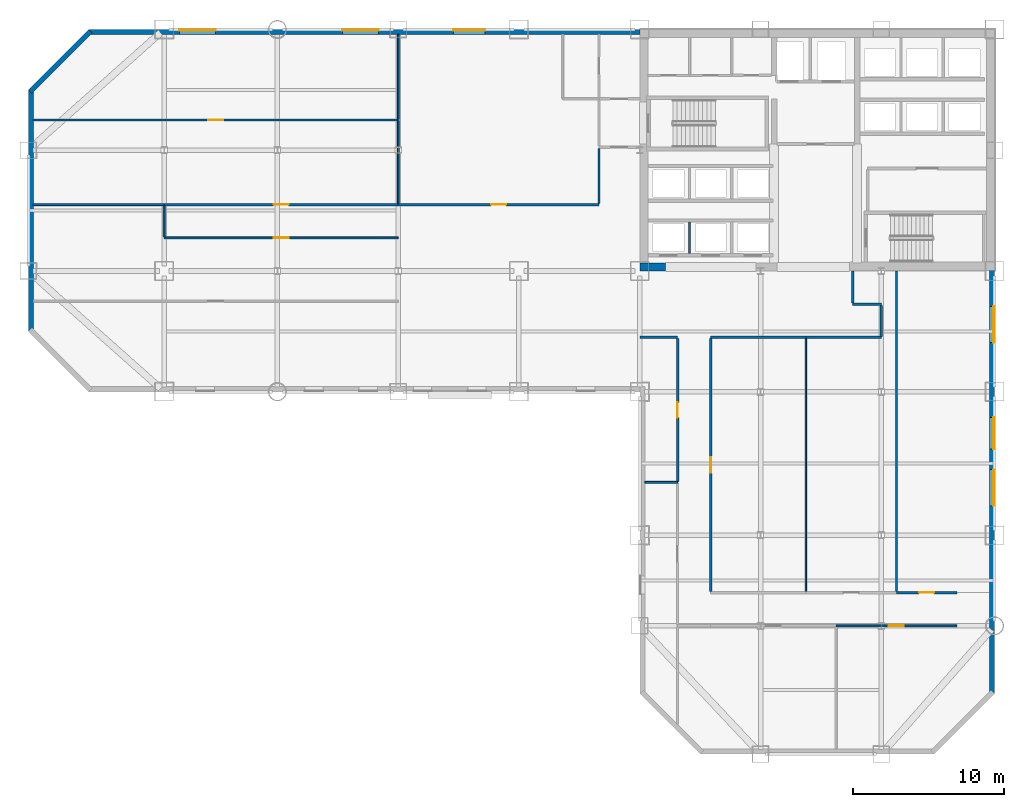
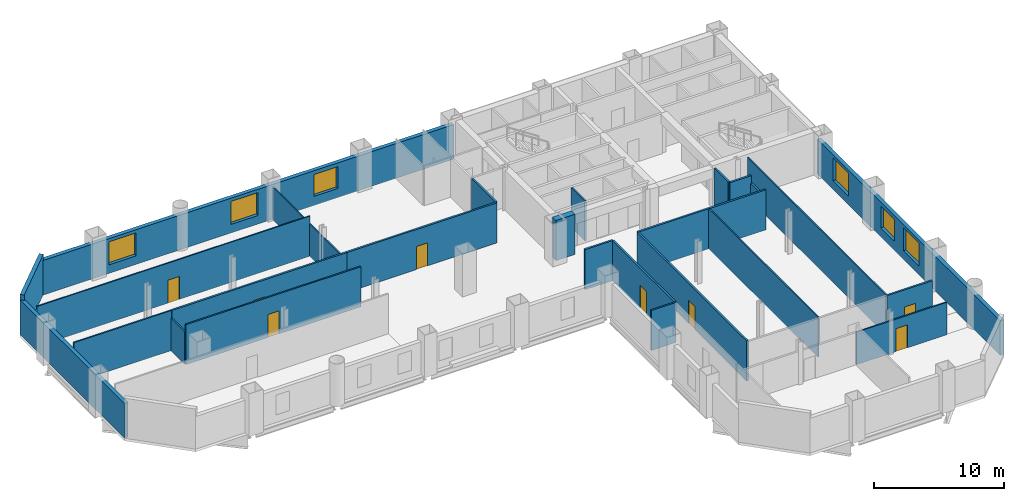
# One storey, part 5 of 9: 28 walls, 8 doors, 6 windows, 14 openings.
"""IFC4 building model written with IfcOpenShell, lengths in metres."""

from ifc_helpers import new_model, si_unit, direction, frame, frame_2d, origin, place, context, subcontext, project, spatial, rectangle, extrude, material, layer, layer_set, type_object, element, fill, save


model = new_model("IFC4")

# Units and contexts
model_context = context("Model", 3, precision=1e-05, world=origin(), true_north=direction((0.0, 1.0)))
body_context = subcontext(model_context, "Body", "Model", "MODEL_VIEW")
ifc_project = project(units=[si_unit("LENGTHUNIT", "METRE"), si_unit("AREAUNIT", "SQUARE_METRE"), si_unit("VOLUMEUNIT", "CUBIC_METRE"), si_unit("PLANEANGLEUNIT", "RADIAN"), si_unit("MASSUNIT", "GRAM", prefix="KILO")], contexts=[model_context])

# Site, building, storey
site_placement = place(None, origin())
site = spatial("IfcSite", under=ifc_project, at=site_placement, CompositionType="ELEMENT")
building_placement = place(site_placement, origin())
building = spatial("IfcBuilding", under=site, at=building_placement, Name="Qianrong Seaharbour Tower", CompositionType="ELEMENT")
storey_placement = place(building_placement, frame((0.0, 0.0, 72.199951171875)))
storey = spatial("IfcBuildingStorey", under=building, at=storey_placement, Name="L17", CompositionType="ELEMENT", Elevation=72.199951171875)

# Wall
ifc_material_1 = material(Name="Concrete C70/85", Category="concrete")
ifc_layer_1 = layer(ifc_material_1, 0.5400390625)
ifc_layer_set_1 = layer_set([ifc_layer_1], Name="Concrete C70/85")
wall_type_1 = type_object("IfcWallType", Name="WALL-CORE-540", PredefinedType="SHEAR", material=ifc_layer_set_1)
wall_1_placement = place(storey_placement, frame((40.5, 36.27001953125, 0.0), z_axis=(0.0, 0.0, 1.0), x_axis=(1.0, 0.0, 0.0)))
element("IfcWall", 1, at=wall_1_placement, inside=storey, type_object=wall_type_1, Name="L17 South Core Shear Wall S1", PredefinedType="SHEAR", context=body_context, shape_type="SweptSolid", body=[
    extrude(rectangle(XDim=1.699951171875, YDim=0.5400390625, at=frame_2d((0.85009765625, 0.0))), origin(), (0.0, 0.0, 1.0), 3.75),
])

# Wall, opening, door
ifc_material_2 = material(Name="Fire-rated acoustic gypsum board partition")
ifc_layer_2 = layer(ifc_material_2, 0.1650390625)
ifc_layer_set_2 = layer_set([ifc_layer_2], Name="Fire-rated acoustic gypsum board partition")
wall_type_2 = type_object("IfcWallType", Name="WALL-CORR-PART-165", PredefinedType="PARTITIONING", material=ifc_layer_set_2)
wall_2_placement = place(storey_placement, frame((24.5, 40.39990234375, 0.0), z_axis=(0.0, 0.0, 1.0), x_axis=(1.0, 0.0, 0.0)))
wall_2 = element("IfcWall", 2, at=wall_2_placement, inside=storey, type_object=wall_type_2, Name="L17 Interior Partition Wall 015", PredefinedType="PARTITIONING", context=body_context, shape_type="SweptSolid", body=[
    extrude(rectangle(XDim=13.300048828125, YDim=0.1650390625, at=frame_2d((6.64990234375, 0.0))), origin(), (0.0, 0.0, 1.0), 3.75),
])
opening_1_placement = place(wall_2_placement, frame((6.14990234375, 0.0, 0.0)))
opening_1 = element("IfcOpeningElement", 3, at=opening_1_placement, cuts=wall_2, Name="Opening DO-01", PredefinedType="OPENING", context=body_context, shape_type="SweptSolid", body=[
    extrude(rectangle(XDim=1.0, YDim=2.14990234375, at=frame_2d((0.5, 1.074951171875))), frame((0.0, 0.092529296875, 0.0), z_axis=(0.0, -1.0, 0.0), x_axis=(1.0, 0.0, 0.0)), (0.0, 0.0, 1.0), 0.18505859375),
])
ifc_material_3 = material(Name="Acoustic timber and galvanized steel fire door assembly", Category="steel")
door_type = type_object("IfcDoorType", Name="DOOR-OFFICE-1000x2150", OperationType="NOTDEFINED", PredefinedType="DOOR", material=ifc_material_3)
door_1_placement = place(opening_1_placement, origin())
door_1 = element("IfcDoor", 4, at=door_1_placement, inside=storey, type_object=door_type, Name="L17 Central Spine Open-Plan Office Door", OperationType="SINGLE_SWING_RIGHT", OverallHeight=2.14990234375, OverallWidth=1.0, PredefinedType="DOOR", context=body_context, shape_type="SweptSolid", body=[
    extrude(rectangle(XDim=1.0, YDim=2.14990234375, at=frame_2d((0.5, 1.074951171875))), frame((0.0, 0.02490234375, 0.0), z_axis=(0.0, -1.0, 0.0), x_axis=(1.0, 0.0, 0.0)), (0.0, 0.0, 1.0), 0.050048828125),
])
fill(opening_1, door_1)

wall_3_placement = place(storey_placement, frame((9.0, 40.39990234375, 0.0), z_axis=(0.0, 0.0, 1.0), x_axis=(1.0, 0.0, 0.0)))
wall_3 = element("IfcWall", 5, at=wall_3_placement, inside=storey, type_object=wall_type_2, Name="L17 Interior Partition Wall 018", PredefinedType="PARTITIONING", context=body_context, shape_type="SweptSolid", body=[
    extrude(rectangle(XDim=15.5, YDim=0.1650390625, at=frame_2d((7.75, 0.0))), origin(), (0.0, 0.0, 1.0), 3.75),
])
opening_2_placement = place(wall_3_placement, frame((7.25, 0.0, 0.0)))
opening_2 = element("IfcOpeningElement", 6, at=opening_2_placement, cuts=wall_3, Name="Opening DO-01", PredefinedType="OPENING", context=body_context, shape_type="SweptSolid", body=[
    extrude(rectangle(XDim=1.0, YDim=2.14990234375, at=frame_2d((0.5, 1.074951171875))), frame((0.0, 0.092529296875, 0.0), z_axis=(0.0, -1.0, 0.0), x_axis=(1.0, 0.0, 0.0)), (0.0, 0.0, 1.0), 0.18505859375),
])
door_2_placement = place(opening_2_placement, origin())
door_2 = element("IfcDoor", 7, at=door_2_placement, inside=storey, type_object=door_type, Name="L17 Hospitality Dining Room 3 Door", OperationType="SINGLE_SWING_LEFT", OverallHeight=2.14990234375, OverallWidth=1.0, PredefinedType="DOOR", context=body_context, shape_type="SweptSolid", body=[
    extrude(rectangle(XDim=1.0, YDim=2.14990234375, at=frame_2d((0.5, 1.074951171875))), frame((0.0, 0.02490234375, 0.0), z_axis=(0.0, -1.0, 0.0), x_axis=(1.0, 0.0, 0.0)), (0.0, 0.0, 1.0), 0.050048828125),
])
fill(opening_2, door_2)

# Walls
wall_4_placement = place(storey_placement, frame((37.800048828125, 40.474609375, 0.0), z_axis=(0.0, 0.0, 1.0), x_axis=(0.0, 1.0, 0.0)))
element("IfcWall", 8, at=wall_4_placement, inside=storey, type_object=wall_type_2, Name="L17 Interior Partition Wall 019", PredefinedType="PARTITIONING", context=body_context, shape_type="SweptSolid", body=[
    extrude(rectangle(XDim=3.65087890625, YDim=0.1650390625, at=frame_2d((1.825439453125, 0.0))), origin(), (0.0, 0.0, 1.0), 3.75),
])
wall_5_placement = place(storey_placement, frame((51.5, 31.60009765625, 0.0), z_axis=(0.0, 0.0, 1.0), x_axis=(-1.0, 0.0, 0.0)))
element("IfcWall", 9, at=wall_5_placement, inside=storey, type_object=wall_type_2, Name="L17 Interior Partition Wall 020", PredefinedType="PARTITIONING", context=body_context, shape_type="SweptSolid", body=[
    extrude(rectangle(XDim=6.300048828125, YDim=0.1650390625, at=frame_2d((3.14990234375, 0.0))), origin(), (0.0, 0.0, 1.0), 3.75),
])
wall_6_placement = place(storey_placement, frame((54.60009765625, 36.0, 0.0), z_axis=(0.0, 0.0, 1.0), x_axis=(0.0, -1.0, 0.0)))
element("IfcWall", 10, at=wall_6_placement, inside=storey, type_object=wall_type_2, Name="L17 Interior Partition Wall 021", PredefinedType="PARTITIONING", context=body_context, shape_type="SweptSolid", body=[
    extrude(rectangle(XDim=2.12548828125, YDim=0.1650390625, at=frame_2d((1.062744140625, 0.0))), origin(), (0.0, 0.0, 1.0), 3.75),
])
wall_7_placement = place(storey_placement, frame((54.60009765625, 33.800048828125, 0.0), z_axis=(0.0, 0.0, 1.0), x_axis=(1.0, 0.0, 0.0)))
element("IfcWall", 11, at=wall_7_placement, inside=storey, type_object=wall_type_2, Name="L17 Interior Partition Wall 022", PredefinedType="PARTITIONING", context=body_context, shape_type="SweptSolid", body=[
    extrude(rectangle(XDim=1.89990234375, YDim=0.1650390625, at=frame_2d((0.949951171875, 0.0))), origin(), (0.0, 0.0, 1.0), 3.75),
])
wall_8_placement = place(storey_placement, frame((56.5, 33.7255859375, 0.0), z_axis=(0.0, 0.0, 1.0), x_axis=(0.0, -1.0, 0.0)))
element("IfcWall", 12, at=wall_8_placement, inside=storey, type_object=wall_type_2, Name="L17 Interior Partition Wall 023", PredefinedType="PARTITIONING", context=body_context, shape_type="SweptSolid", body=[
    extrude(rectangle(XDim=2.051025390625, YDim=0.1650390625, at=frame_2d((1.025390625, 0.0))), origin(), (0.0, 0.0, 1.0), 3.0419921875),
])
wall_9_placement = place(storey_placement, frame((56.5, 31.60009765625, 0.0), z_axis=(0.0, 0.0, 1.0), x_axis=(-1.0, 0.0, 0.0)))
element("IfcWall", 13, at=wall_9_placement, inside=storey, type_object=wall_type_2, Name="L17 Interior Partition Wall 024", PredefinedType="PARTITIONING", context=body_context, shape_type="SweptSolid", body=[
    extrude(rectangle(XDim=5.0, YDim=0.1650390625, at=frame_2d((2.5, 0.0))), origin(), (0.0, 0.0, 1.0), 3.75),
])
wall_10_placement = place(storey_placement, frame((43.0, 31.60009765625, 0.0), z_axis=(0.0, 0.0, 1.0), x_axis=(-1.0, 0.0, 0.0)))
element("IfcWall", 14, at=wall_10_placement, inside=storey, type_object=wall_type_2, Name="L17 Interior Partition Wall 025", PredefinedType="PARTITIONING", context=body_context, shape_type="SweptSolid", body=[
    extrude(rectangle(XDim=2.5, YDim=0.1650390625, at=frame_2d((1.25, 0.0))), origin(), (0.0, 0.0, 1.0), 3.75),
])

# Wall, opening, door
wall_11_placement = place(storey_placement, frame((45.199951171875, 31.525390625, 0.0), z_axis=(0.0, 0.0, 1.0), x_axis=(0.0, -1.0, 0.0)))
wall_11 = element("IfcWall", 15, at=wall_11_placement, inside=storey, type_object=wall_type_2, Name="L17 Interior Partition Wall 026", PredefinedType="PARTITIONING", context=body_context, shape_type="SweptSolid", body=[
    extrude(rectangle(XDim=16.7509765625, YDim=0.1650390625, at=frame_2d((8.37548828125, 0.0))), origin(), (0.0, 0.0, 1.0), 3.75),
])
opening_3_placement = place(wall_11_placement, frame((7.87548828125, 0.0, 0.0)))
opening_3 = element("IfcOpeningElement", 16, at=opening_3_placement, cuts=wall_11, Name="Opening DO-01", PredefinedType="OPENING", context=body_context, shape_type="SweptSolid", body=[
    extrude(rectangle(XDim=1.0, YDim=2.14990234375, at=frame_2d((0.5, 1.074951171875))), frame((0.0, 0.092529296875, 0.0), z_axis=(0.0, -1.0, 0.0), x_axis=(1.0, 0.0, 0.0)), (0.0, 0.0, 1.0), 0.18505859375),
])
door_3_placement = place(opening_3_placement, origin())
door_3 = element("IfcDoor", 17, at=door_3_placement, inside=storey, type_object=door_type, Name="L17 East Harbour Dining Salon 1 Door", OperationType="SINGLE_SWING_LEFT", OverallHeight=2.14990234375, OverallWidth=1.0, PredefinedType="DOOR", context=body_context, shape_type="SweptSolid", body=[
    extrude(rectangle(XDim=1.0, YDim=2.14990234375, at=frame_2d((0.5, 1.074951171875))), frame((0.0, 0.02490234375, 0.0), z_axis=(0.0, -1.0, 0.0), x_axis=(1.0, 0.0, 0.0)), (0.0, 0.0, 1.0), 0.050048828125),
])
fill(opening_3, door_3)

wall_12_placement = place(storey_placement, frame((43.0, 22.056884765625, 0.0), z_axis=(0.0, 0.0, 1.0), x_axis=(0.0, 1.0, 0.0)))
wall_12 = element("IfcWall", 18, at=wall_12_placement, inside=storey, type_object=wall_type_2, Name="L17 Interior Partition Wall 028", PredefinedType="PARTITIONING", context=body_context, shape_type="SweptSolid", body=[
    extrude(rectangle(XDim=9.468505859375, YDim=0.1650390625, at=frame_2d((4.734375, 0.0))), origin(), (0.0, 0.0, 1.0), 3.75),
])
opening_4_placement = place(wall_12_placement, frame((4.234375, 0.0, 0.0)))
opening_4 = element("IfcOpeningElement", 19, at=opening_4_placement, cuts=wall_12, Name="Opening DO-01", PredefinedType="OPENING", context=body_context, shape_type="SweptSolid", body=[
    extrude(rectangle(XDim=1.0, YDim=2.14990234375, at=frame_2d((0.5, 1.074951171875))), frame((0.0, 0.092529296875, 0.0), z_axis=(0.0, -1.0, 0.0), x_axis=(1.0, 0.0, 0.0)), (0.0, 0.0, 1.0), 0.18505859375),
])
door_4_placement = place(opening_4_placement, origin())
door_4 = element("IfcDoor", 20, at=door_4_placement, inside=storey, type_object=door_type, Name="L17 Concierge Office 2 Door", OperationType="SINGLE_SWING_LEFT", OverallHeight=2.14990234375, OverallWidth=1.0, PredefinedType="DOOR", context=body_context, shape_type="SweptSolid", body=[
    extrude(rectangle(XDim=1.0, YDim=2.14990234375, at=frame_2d((0.5, 1.074951171875))), frame((0.0, 0.02490234375, 0.0), z_axis=(0.0, -1.0, 0.0), x_axis=(1.0, 0.0, 0.0)), (0.0, 0.0, 1.0), 0.050048828125),
])
fill(opening_4, door_4)

wall_13_placement = place(storey_placement, frame((57.5, 14.699951171875, 0.0), z_axis=(0.0, 0.0, 1.0), x_axis=(1.0, 0.0, 0.0)))
wall_13 = element("IfcWall", 21, at=wall_13_placement, inside=storey, type_object=wall_type_2, Name="L17 Interior Partition Wall 032", PredefinedType="PARTITIONING", context=body_context, shape_type="SweptSolid", body=[
    extrude(rectangle(XDim=4.0, YDim=0.1650390625, at=frame_2d((2.0, 0.0))), origin(), (0.0, 0.0, 1.0), 3.75),
])
opening_5_placement = place(wall_13_placement, frame((1.5, 0.0, 0.0)))
opening_5 = element("IfcOpeningElement", 22, at=opening_5_placement, cuts=wall_13, Name="Opening DO-01", PredefinedType="OPENING", context=body_context, shape_type="SweptSolid", body=[
    extrude(rectangle(XDim=1.0, YDim=2.14990234375, at=frame_2d((0.5, 1.074951171875))), frame((0.0, 0.092529296875, 0.0), z_axis=(0.0, -1.0, 0.0), x_axis=(1.0, 0.0, 0.0)), (0.0, 0.0, 1.0), 0.18505859375),
])
door_5_placement = place(opening_5_placement, origin())
door_5 = element("IfcDoor", 23, at=door_5_placement, inside=storey, type_object=door_type, Name="L17 Staff Lounge 3 Door", OperationType="SINGLE_SWING_LEFT", OverallHeight=2.14990234375, OverallWidth=1.0, PredefinedType="DOOR", context=body_context, shape_type="SweptSolid", body=[
    extrude(rectangle(XDim=1.0, YDim=2.14990234375, at=frame_2d((0.5, 1.074951171875))), frame((0.0, 0.02490234375, 0.0), z_axis=(0.0, -1.0, 0.0), x_axis=(1.0, 0.0, 0.0)), (0.0, 0.0, 1.0), 0.050048828125),
])
fill(opening_5, door_5)

# Walls
ifc_material_4 = material(Name="Demountable aluminium-framed acoustic office partition", Category="aluminium")
ifc_layer_3 = layer(ifc_material_4, 0.110107421875)
ifc_layer_set_3 = layer_set([ifc_layer_3], Name="Demountable aluminium-framed acoustic office partition")
wall_type_3 = type_object("IfcWallType", Name="WALL-DEMOUNT-110", PredefinedType="MOVABLE", material=ifc_layer_set_3)
wall_14_placement = place(storey_placement, frame((24.5, 40.474609375, 0.0), z_axis=(0.0, 0.0, 1.0), x_axis=(0.0, 1.0, 0.0)))
element("IfcWall", 24, at=wall_14_placement, inside=storey, type_object=wall_type_3, Name="L17 Interior Partition Wall 035", PredefinedType="MOVABLE", context=body_context, shape_type="SweptSolid", body=[
    extrude(rectangle(XDim=5.478271484375, YDim=0.110107421875, at=frame_2d((2.7392578125, 0.0))), origin(), (0.0, 0.0, 1.0), 3.0419921875),
])
wall_15_placement = place(storey_placement, frame((24.5, 46.047119140625, 0.0), z_axis=(0.0, 0.0, 1.0), x_axis=(0.0, 1.0, 0.0)))
element("IfcWall", 25, at=wall_15_placement, inside=storey, type_object=wall_type_3, Name="L17 Interior Partition Wall 036", PredefinedType="MOVABLE", context=body_context, shape_type="SweptSolid", body=[
    extrude(rectangle(XDim=5.620849609375, YDim=0.110107421875, at=frame_2d((2.810546875, 0.0))), origin(), (0.0, 0.0, 1.0), 3.0419921875),
])

# Wall, opening, door
wall_16_placement = place(storey_placement, frame((0.33203125, 46.0, 0.0), z_axis=(0.0, 0.0, 1.0), x_axis=(1.0, 0.0, 0.0)))
wall_16 = element("IfcWall", 26, at=wall_16_placement, inside=storey, type_object=wall_type_3, Name="L17 Interior Partition Wall 039", PredefinedType="MOVABLE", context=body_context, shape_type="SweptSolid", body=[
    extrude(rectangle(XDim=24.16796875, YDim=0.110107421875, at=frame_2d((12.083984375, 0.0))), origin(), (0.0, 0.0, 1.0), 3.75),
])
opening_6_placement = place(wall_16_placement, frame((11.583984375, 0.0, 0.0)))
opening_6 = element("IfcOpeningElement", 27, at=opening_6_placement, cuts=wall_16, Name="Opening DO-01", PredefinedType="OPENING", context=body_context, shape_type="SweptSolid", body=[
    extrude(rectangle(XDim=1.0, YDim=2.14990234375, at=frame_2d((0.5, 1.074951171875))), frame((0.0, 0.06494140625, 0.0), z_axis=(0.0, -1.0, 0.0), x_axis=(1.0, 0.0, 0.0)), (0.0, 0.0, 1.0), 0.130126953125),
])
door_6_placement = place(opening_6_placement, origin())
door_6 = element("IfcDoor", 28, at=door_6_placement, inside=storey, type_object=door_type, Name="L17 Quiet Sitting Lounge 4 Door", OperationType="SINGLE_SWING_RIGHT", OverallHeight=2.14990234375, OverallWidth=1.0, PredefinedType="DOOR", context=body_context, shape_type="SweptSolid", body=[
    extrude(rectangle(XDim=1.0, YDim=2.14990234375, at=frame_2d((0.5, 1.074951171875))), frame((0.0, 0.02490234375, 0.0), z_axis=(0.0, -1.0, 0.0), x_axis=(1.0, 0.0, 0.0)), (0.0, 0.0, 1.0), 0.050048828125),
])
fill(opening_6, door_6)

# Walls
wall_17_placement = place(storey_placement, frame((51.5, 31.525390625, 0.0), z_axis=(0.0, 0.0, 1.0), x_axis=(0.0, -1.0, 0.0)))
element("IfcWall", 29, at=wall_17_placement, inside=storey, type_object=wall_type_3, Name="L17 Interior Partition Wall 040", PredefinedType="MOVABLE", context=body_context, shape_type="SweptSolid", body=[
    extrude(rectangle(XDim=16.7509765625, YDim=0.110107421875, at=frame_2d((8.37548828125, 0.0))), origin(), (0.0, 0.0, 1.0), 3.75),
])
wall_18_placement = place(storey_placement, frame((57.5, 36.0, 0.0), z_axis=(0.0, 0.0, 1.0), x_axis=(0.0, -1.0, 0.0)))
element("IfcWall", 30, at=wall_18_placement, inside=storey, type_object=wall_type_3, Name="L17 Interior Partition Wall 041", PredefinedType="MOVABLE", context=body_context, shape_type="SweptSolid", body=[
    extrude(rectangle(XDim=21.2255859375, YDim=0.110107421875, at=frame_2d((10.61279296875, 0.0))), origin(), (0.0, 0.0, 1.0), 3.75),
])
ifc_material_5 = material(Name="Unitised buff brick on Precast concrete C45/55", Category="masonry")
ifc_layer_4 = layer(ifc_material_5, 0.340087890625)
ifc_layer_set_4 = layer_set([ifc_layer_4], Name="Unitised buff brick on Precast concrete C45/55")
wall_type_4 = type_object("IfcWallType", Name="WALL-EXT-BRICK-BUFF-340", PredefinedType="SOLIDWALL", material=ifc_layer_set_4)
wall_19_placement = place(storey_placement, frame((0.169921875, 32.0, 0.0), z_axis=(0.0, 0.0, 1.0), x_axis=(0.0, 1.0, 0.0)))
element("IfcWall", 31, at=wall_19_placement, inside=storey, type_object=wall_type_4, Name="L17 Exterior Masonry Facade Wall WEST_TIP", PredefinedType="SOLIDWALL", context=body_context, shape_type="SweptSolid", body=[
    extrude(rectangle(XDim=16.0, YDim=0.340087890625, at=frame_2d((8.0, 0.0))), origin(), (0.0, 0.0, 1.0), 3.25),
])
wall_20_placement = place(storey_placement, frame((0.1201171875, 47.8798828125, 0.0), z_axis=(0.0, 0.0, 1.0), x_axis=(0.707106781187, 0.707106781187, 0.0)))
element("IfcWall", 32, at=wall_20_placement, inside=storey, type_object=wall_type_4, Name="L17 Exterior Masonry Facade Wall E04", PredefinedType="SOLIDWALL", context=body_context, shape_type="SweptSolid", body=[
    extrude(rectangle(XDim=5.65673828125, YDim=0.340087890625, at=frame_2d((2.828369140625, 0.0))), origin(), (0.0, 0.0, 1.0), 3.75),
])

# Wall, openings, windows
wall_21_placement = place(storey_placement, frame((4.0, 51.830078125, 0.0), z_axis=(0.0, 0.0, 1.0), x_axis=(1.0, 0.0, 0.0)))
wall_21 = element("IfcWall", 33, at=wall_21_placement, inside=storey, type_object=wall_type_4, Name="L17 Exterior Masonry Facade Wall NORTH_WING", PredefinedType="SOLIDWALL", context=body_context, shape_type="SweptSolid", body=[
    extrude(rectangle(XDim=36.52001953125, YDim=0.340087890625, at=frame_2d((18.260009765625, 0.0))), origin(), (0.0, 0.0, 1.0), 3.25),
])
opening_7_placement = place(wall_21_placement, frame((6.0, 0.0, 0.800048828125)))
opening_7 = element("IfcOpeningElement", 34, at=opening_7_placement, cuts=wall_21, Name="Opening WN-07", PredefinedType="OPENING", context=body_context, shape_type="SweptSolid", body=[
    extrude(rectangle(XDim=2.39990234375, YDim=2.14990234375, at=frame_2d((1.199951171875, 1.074951171875))), frame((0.0, 0.18017578125, 0.0), z_axis=(0.0, -1.0, 0.0), x_axis=(1.0, 0.0, 0.0)), (0.0, 0.0, 1.0), 0.360107421875),
])
opening_8_placement = place(wall_21_placement, frame((16.800048828125, 0.0, 0.800048828125)))
opening_8 = element("IfcOpeningElement", 35, at=opening_8_placement, cuts=wall_21, Name="Opening WN-07", PredefinedType="OPENING", context=body_context, shape_type="SweptSolid", body=[
    extrude(rectangle(XDim=2.39990234375, YDim=2.14990234375, at=frame_2d((1.199951171875, 1.074951171875))), frame((0.0, 0.18017578125, 0.0), z_axis=(0.0, -1.0, 0.0), x_axis=(1.0, 0.0, 0.0)), (0.0, 0.0, 1.0), 0.360107421875),
])
opening_9_placement = place(wall_21_placement, frame((24.14990234375, 0.0, 0.85009765625)))
opening_9 = element("IfcOpeningElement", 36, at=opening_9_placement, cuts=wall_21, Name="Opening WN-06", PredefinedType="OPENING", context=body_context, shape_type="SweptSolid", body=[
    extrude(rectangle(XDim=2.10009765625, YDim=2.050048828125, at=frame_2d((1.050048828125, 1.02490234375))), frame((0.0, 0.18017578125, 0.0), z_axis=(0.0, -1.0, 0.0), x_axis=(1.0, 0.0, 0.0)), (0.0, 0.0, 1.0), 0.360107421875),
])
ifc_material_6 = material(Name="Insulated low-e double glazing in thermally broken aluminium 6063-T6 frame", Category="aluminium")
window_type_1 = type_object("IfcWindowType", Name="WIN-PUNCH-2100x2050", PartitioningType="TRIPLE_PANEL_VERTICAL", PredefinedType="WINDOW", material=ifc_material_6)
window_1_placement = place(opening_9_placement, origin())
window_1 = element("IfcWindow", 37, at=window_1_placement, inside=storey, type_object=window_type_1, Name="L17 Deep-Set Punched Window 05.07", OverallHeight=2.050048828125, OverallWidth=2.10009765625, PartitioningType="TRIPLE_PANEL_VERTICAL", PredefinedType="WINDOW", context=body_context, shape_type="SweptSolid", body=[
    extrude(rectangle(XDim=2.10009765625, YDim=2.050048828125, at=frame_2d((1.050048828125, 1.02490234375))), frame((0.0, 0.150146484375, 0.0), z_axis=(0.0, -1.0, 0.0), x_axis=(1.0, 0.0, 0.0)), (0.0, 0.0, 1.0), 0.06005859375),
])
fill(opening_9, window_1)
window_type_2 = type_object("IfcWindowType", Name="WIN-PUNCH-2400x2150", PartitioningType="TRIPLE_PANEL_VERTICAL", PredefinedType="WINDOW", material=ifc_material_6)
window_2_placement = place(opening_7_placement, origin())
window_2 = element("IfcWindow", 38, at=window_2_placement, inside=storey, type_object=window_type_2, Name="L17 Deep-Set Punched Window 05.02", OverallHeight=2.14990234375, OverallWidth=2.39990234375, PartitioningType="TRIPLE_PANEL_VERTICAL", PredefinedType="WINDOW", context=body_context, shape_type="SweptSolid", body=[
    extrude(rectangle(XDim=2.39990234375, YDim=2.14990234375, at=frame_2d((1.199951171875, 1.074951171875))), frame((0.0, 0.150146484375, 0.0), z_axis=(0.0, -1.0, 0.0), x_axis=(1.0, 0.0, 0.0)), (0.0, 0.0, 1.0), 0.06005859375),
])
fill(opening_7, window_2)
window_3_placement = place(opening_8_placement, origin())
window_3 = element("IfcWindow", 39, at=window_3_placement, inside=storey, type_object=window_type_2, Name="L17 Deep-Set Punched Window 05.05", OverallHeight=2.14990234375, OverallWidth=2.39990234375, PartitioningType="TRIPLE_PANEL_VERTICAL", PredefinedType="WINDOW", context=body_context, shape_type="SweptSolid", body=[
    extrude(rectangle(XDim=2.39990234375, YDim=2.14990234375, at=frame_2d((1.199951171875, 1.074951171875))), frame((0.0, 0.150146484375, 0.0), z_axis=(0.0, -1.0, 0.0), x_axis=(1.0, 0.0, 0.0)), (0.0, 0.0, 1.0), 0.06005859375),
])
fill(opening_8, window_3)

wall_22_placement = place(storey_placement, frame((63.830078125, 36.050048828125, 0.0), z_axis=(0.0, 0.0, 1.0), x_axis=(0.0, -1.0, 0.0)))
wall_22 = element("IfcWall", 40, at=wall_22_placement, inside=storey, type_object=wall_type_4, Name="L17 Exterior Masonry Facade Wall EAST_WING", PredefinedType="SOLIDWALL", context=body_context, shape_type="SweptSolid", body=[
    extrude(rectangle(XDim=28.050048828125, YDim=0.340087890625, at=frame_2d((14.02490234375, 0.0))), origin(), (0.0, 0.0, 1.0), 3.25),
])
opening_10_placement = place(wall_22_placement, frame((2.39990234375, 0.0, 0.800048828125)))
opening_10 = element("IfcOpeningElement", 41, at=opening_10_placement, cuts=wall_22, Name="Opening WN-07", PredefinedType="OPENING", context=body_context, shape_type="SweptSolid", body=[
    extrude(rectangle(XDim=2.39990234375, YDim=2.14990234375, at=frame_2d((1.199951171875, 1.074951171875))), frame((0.0, 0.18017578125, 0.0), z_axis=(0.0, -1.0, 0.0), x_axis=(1.0, 0.0, 0.0)), (0.0, 0.0, 1.0), 0.360107421875),
])
opening_11_placement = place(wall_22_placement, frame((9.75, 0.0, 0.85009765625)))
opening_11 = element("IfcOpeningElement", 42, at=opening_11_placement, cuts=wall_22, Name="Opening WN-06", PredefinedType="OPENING", context=body_context, shape_type="SweptSolid", body=[
    extrude(rectangle(XDim=2.10009765625, YDim=2.050048828125, at=frame_2d((1.050048828125, 1.02490234375))), frame((0.0, 0.18017578125, 0.0), z_axis=(0.0, -1.0, 0.0), x_axis=(1.0, 0.0, 0.0)), (0.0, 0.0, 1.0), 0.360107421875),
])
opening_12_placement = place(wall_22_placement, frame((13.199951171875, 0.0, 0.800048828125)))
opening_12 = element("IfcOpeningElement", 43, at=opening_12_placement, cuts=wall_22, Name="Opening WN-07", PredefinedType="OPENING", context=body_context, shape_type="SweptSolid", body=[
    extrude(rectangle(XDim=2.39990234375, YDim=2.14990234375, at=frame_2d((1.199951171875, 1.074951171875))), frame((0.0, 0.18017578125, 0.0), z_axis=(0.0, -1.0, 0.0), x_axis=(1.0, 0.0, 0.0)), (0.0, 0.0, 1.0), 0.360107421875),
])
window_4_placement = place(opening_11_placement, origin())
window_4 = element("IfcWindow", 44, at=window_4_placement, inside=storey, type_object=window_type_1, Name="L17 Deep-Set Punched Window 06.03", OverallHeight=2.050048828125, OverallWidth=2.10009765625, PartitioningType="TRIPLE_PANEL_VERTICAL", PredefinedType="WINDOW", context=body_context, shape_type="SweptSolid", body=[
    extrude(rectangle(XDim=2.10009765625, YDim=2.050048828125, at=frame_2d((1.050048828125, 1.02490234375))), frame((0.0, 0.150146484375, 0.0), z_axis=(0.0, -1.0, 0.0), x_axis=(1.0, 0.0, 0.0)), (0.0, 0.0, 1.0), 0.06005859375),
])
fill(opening_11, window_4)
window_5_placement = place(opening_10_placement, origin())
window_5 = element("IfcWindow", 45, at=window_5_placement, inside=storey, type_object=window_type_2, Name="L17 Deep-Set Punched Window 06.01", OverallHeight=2.14990234375, OverallWidth=2.39990234375, PartitioningType="TRIPLE_PANEL_VERTICAL", PredefinedType="WINDOW", context=body_context, shape_type="SweptSolid", body=[
    extrude(rectangle(XDim=2.39990234375, YDim=2.14990234375, at=frame_2d((1.199951171875, 1.074951171875))), frame((0.0, 0.150146484375, 0.0), z_axis=(0.0, -1.0, 0.0), x_axis=(1.0, 0.0, 0.0)), (0.0, 0.0, 1.0), 0.06005859375),
])
fill(opening_10, window_5)
window_6_placement = place(opening_12_placement, origin())
window_6 = element("IfcWindow", 46, at=window_6_placement, inside=storey, type_object=window_type_2, Name="L17 Deep-Set Punched Window 06.04", OverallHeight=2.14990234375, OverallWidth=2.39990234375, PartitioningType="TRIPLE_PANEL_VERTICAL", PredefinedType="WINDOW", context=body_context, shape_type="SweptSolid", body=[
    extrude(rectangle(XDim=2.39990234375, YDim=2.14990234375, at=frame_2d((1.199951171875, 1.074951171875))), frame((0.0, 0.150146484375, 0.0), z_axis=(0.0, -1.0, 0.0), x_axis=(1.0, 0.0, 0.0)), (0.0, 0.0, 1.0), 0.06005859375),
])
fill(opening_12, window_6)

# Wall
ifc_material_7 = material(Name="Fire-rated gypsum board on steel studs", Category="steel")
ifc_layer_5 = layer(ifc_material_7, 0.14990234375)
ifc_layer_set_5 = layer_set([ifc_layer_5], Name="Fire-rated gypsum board on steel studs")
wall_type_5 = type_object("IfcWallType", Name="WALL-SHAFT-DIV-150", PredefinedType="PARTITIONING", material=ifc_layer_set_5)
wall_23_placement = place(storey_placement, frame((43.800048828125, 37.159912109375, 0.0), z_axis=(0.0, 0.0, 1.0), x_axis=(0.0, 1.0, 0.0)))
element("IfcWall", 47, at=wall_23_placement, inside=storey, type_object=wall_type_5, Name="L17 P1 Lift Hoistway Divider 2", PredefinedType="PARTITIONING", context=body_context, shape_type="SweptSolid", body=[
    extrude(rectangle(XDim=2.080078125, YDim=0.14990234375, at=frame_2d((1.0400390625, 0.0))), origin(), (0.0, 0.0, 1.0), 3.75),
])

# Wall, opening, door
ifc_material_8 = material(Name="Water-resistant cement board sanitary partition")
ifc_layer_6 = layer(ifc_material_8, 0.1298828125)
ifc_layer_set_6 = layer_set([ifc_layer_6], Name="Water-resistant cement board sanitary partition")
wall_type_6 = type_object("IfcWallType", Name="WALL-WET-PART-130", PredefinedType="PARTITIONING", material=ifc_layer_set_6)
wall_24_placement = place(storey_placement, frame((24.5, 38.199951171875, 0.0), z_axis=(0.0, 0.0, 1.0), x_axis=(-1.0, 0.0, 0.0)))
wall_24 = element("IfcWall", 48, at=wall_24_placement, inside=storey, type_object=wall_type_6, Name="L17 Interior Partition Wall 016", PredefinedType="PARTITIONING", context=body_context, shape_type="SweptSolid", body=[
    extrude(rectangle(XDim=15.5, YDim=0.1298828125, at=frame_2d((7.75, 0.0))), origin(), (0.0, 0.0, 1.0), 3.75),
])
opening_13_placement = place(wall_24_placement, frame((7.25, 0.0, 0.0)))
opening_13 = element("IfcOpeningElement", 49, at=opening_13_placement, cuts=wall_24, Name="Opening DO-01", PredefinedType="OPENING", context=body_context, shape_type="SweptSolid", body=[
    extrude(rectangle(XDim=1.0, YDim=2.14990234375, at=frame_2d((0.5, 1.074951171875))), frame((0.0, 0.074951171875, 0.0), z_axis=(0.0, -1.0, 0.0), x_axis=(1.0, 0.0, 0.0)), (0.0, 0.0, 1.0), 0.14990234375),
])
door_7_placement = place(opening_13_placement, origin())
door_7 = element("IfcDoor", 50, at=door_7_placement, inside=storey, type_object=door_type, Name="L17 Barista Coffee Pantry 2 Door", OperationType="SINGLE_SWING_RIGHT", OverallHeight=2.14990234375, OverallWidth=1.0, PredefinedType="DOOR", context=body_context, shape_type="SweptSolid", body=[
    extrude(rectangle(XDim=1.0, YDim=2.14990234375, at=frame_2d((0.5, 1.074951171875))), frame((0.0, 0.02490234375, 0.0), z_axis=(0.0, -1.0, 0.0), x_axis=(1.0, 0.0, 0.0)), (0.0, 0.0, 1.0), 0.050048828125),
])
fill(opening_13, door_7)

# Wall
wall_25_placement = place(storey_placement, frame((9.0, 38.257080078125, 0.0), z_axis=(0.0, 0.0, 1.0), x_axis=(0.0, 1.0, 0.0)))
element("IfcWall", 51, at=wall_25_placement, inside=storey, type_object=wall_type_6, Name="L17 Interior Partition Wall 017", PredefinedType="PARTITIONING", context=body_context, shape_type="SweptSolid", body=[
    extrude(rectangle(XDim=2.068359375, YDim=0.1298828125, at=frame_2d((1.0341796875, 0.0))), origin(), (0.0, 0.0, 1.0), 3.0419921875),
])

# Wall, opening, door
wall_26_placement = place(storey_placement, frame((61.5, 12.5, 0.0), z_axis=(0.0, 0.0, 1.0), x_axis=(-1.0, 0.0, 0.0)))
wall_26 = element("IfcWall", 52, at=wall_26_placement, inside=storey, type_object=wall_type_6, Name="L17 Interior Partition Wall 034", PredefinedType="PARTITIONING", context=body_context, shape_type="SweptSolid", body=[
    extrude(rectangle(XDim=8.0, YDim=0.1298828125, at=frame_2d((4.0, 0.0))), origin(), (0.0, 0.0, 1.0), 3.0419921875),
])
opening_14_placement = place(wall_26_placement, frame((3.5, 0.0, 0.0)))
opening_14 = element("IfcOpeningElement", 53, at=opening_14_placement, cuts=wall_26, Name="Opening DO-01", PredefinedType="OPENING", context=body_context, shape_type="SweptSolid", body=[
    extrude(rectangle(XDim=1.0, YDim=2.14990234375, at=frame_2d((0.5, 1.074951171875))), frame((0.0, 0.074951171875, 0.0), z_axis=(0.0, -1.0, 0.0), x_axis=(1.0, 0.0, 0.0)), (0.0, 0.0, 1.0), 0.14990234375),
])
door_8_placement = place(opening_14_placement, origin())
door_8 = element("IfcDoor", 54, at=door_8_placement, inside=storey, type_object=door_type, Name="L17 Tea Servery Pantry 2 Door", OperationType="SINGLE_SWING_LEFT", OverallHeight=2.14990234375, OverallWidth=1.0, PredefinedType="DOOR", context=body_context, shape_type="SweptSolid", body=[
    extrude(rectangle(XDim=1.0, YDim=2.14990234375, at=frame_2d((0.5, 1.074951171875))), frame((0.0, 0.02490234375, 0.0), z_axis=(0.0, -1.0, 0.0), x_axis=(1.0, 0.0, 0.0)), (0.0, 0.0, 1.0), 0.050048828125),
])
fill(opening_14, door_8)

# Walls
wall_27_placement = place(storey_placement, frame((0.33203125, 40.39990234375, 0.0), z_axis=(0.0, 0.0, 1.0), x_axis=(1.0, 0.0, 0.0)))
element("IfcWall", 55, at=wall_27_placement, inside=storey, type_object=wall_type_6, Name="L17 Interior Partition Wall 038", PredefinedType="PARTITIONING", context=body_context, shape_type="SweptSolid", body=[
    extrude(rectangle(XDim=8.66796875, YDim=0.1298828125, at=frame_2d((4.333984375, 0.0))), origin(), (0.0, 0.0, 1.0), 3.75),
])
wall_28_placement = place(storey_placement, frame((40.83203125, 22.0, 0.0), z_axis=(0.0, 0.0, 1.0), x_axis=(1.0, 0.0, 0.0)))
element("IfcWall", 56, at=wall_28_placement, inside=storey, type_object=wall_type_6, Name="L17 Interior Partition Wall 042", PredefinedType="PARTITIONING", context=body_context, shape_type="SweptSolid", body=[
    extrude(rectangle(XDim=2.16796875, YDim=0.1298828125, at=frame_2d((1.083984375, 0.0))), origin(), (0.0, 0.0, 1.0), 3.75),
])

save(model, "model.ifc")
